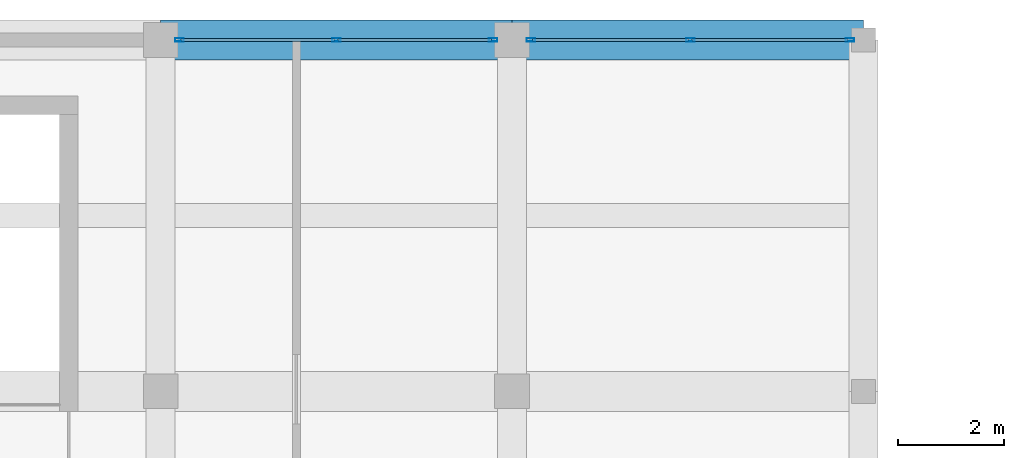
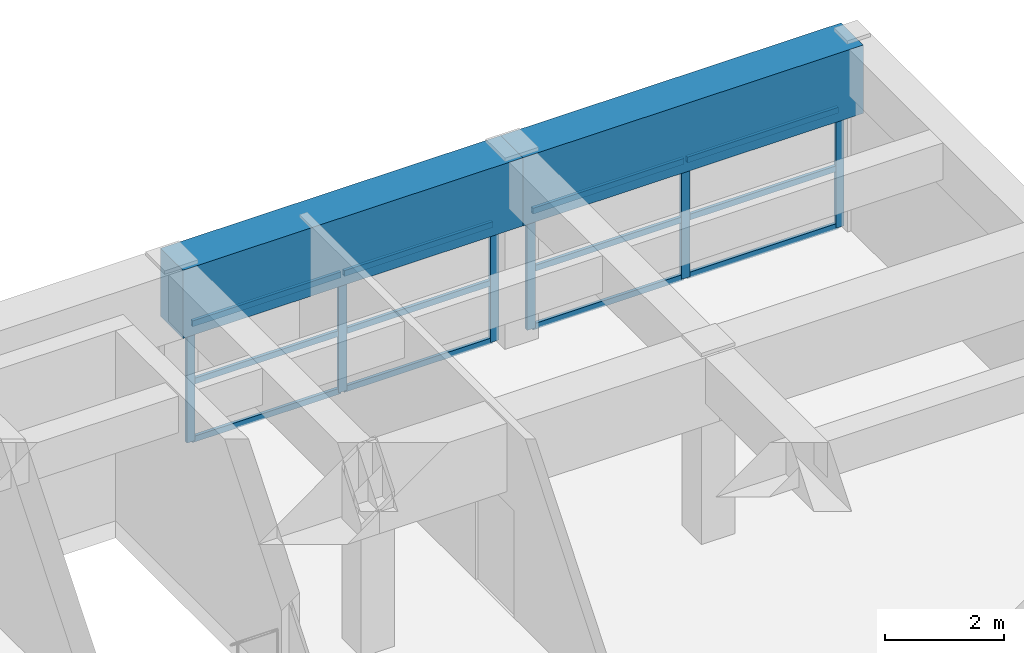
# One storey, part 92 of 134: 18 members, 2 beams, 2 elements without a shape of their own.
"""IFC4 building model written with IfcOpenShell, lengths in metres."""

import ifcopenshell
import ifcopenshell.guid

model = None  # the IFC model being written
_history = None  # IfcOwnerHistory: only IFC2X3 demands one
_inside = {}  # id of a spatial element -> (the spatial element, [elements in it])
_under = {}  # id of a project, library or spatial element -> (it, [spatial elements below it])
_declared = {}  # id of a project -> (the project, [libraries it declares])
_typed = {}  # id of a type object -> (the type object, [elements of that type])
_made_of = {}  # id of a material, layer set ... -> (it, [elements and type objects made of it])


def new_model(schema):
    """Start an empty IFC model of exactly this schema.

    Asked for "IFC4X3", IfcOpenShell would pick the latest addendum, in which some entities
    have other attributes; the version numbers below select the first issue.
    IFC2X3 requires an IfcOwnerHistory on every rooted entity: one is made here for all.
    """
    global model, _history
    if schema == "IFC4X3":
        model = ifcopenshell.file(schema_version=(4, 3, 0, 0))
    else:
        model = ifcopenshell.file(schema=schema)
    _inside.clear()
    _under.clear()
    _declared.clear()
    _typed.clear()
    _made_of.clear()
    _history = None
    if model.schema == "IFC2X3":
        org = make("IfcOrganization", Name="unknown")
        user = make(
            "IfcPersonAndOrganization",
            ThePerson=make("IfcPerson", FamilyName="unknown"),
            TheOrganization=org,
        )
        app = make(
            "IfcApplication",
            ApplicationDeveloper=org,
            Version="unknown",
            ApplicationFullName="unknown",
            ApplicationIdentifier="unknown",
        )
        _history = make(
            "IfcOwnerHistory",
            OwningUser=user,
            OwningApplication=app,
            ChangeAction="ADDED",
            CreationDate=0,
        )
    return model


def make(cls, **values):
    """One entity of the class cls with the attributes given. An attribute that is None is left unset."""
    return model.create_entity(
        cls, **{name: value for name, value in values.items() if value is not None}
    )


def rooted(cls, **values):
    """An entity with a GlobalId (a new one), such as an element, a storey or a relation."""
    return make(cls, GlobalId=ifcopenshell.guid.new(), OwnerHistory=_history, **values)


def si_unit(unit_type, name, prefix=None):
    """IfcSIUnit, for example si_unit("LENGTHUNIT", "METRE", prefix="MILLI")."""
    return make("IfcSIUnit", UnitType=unit_type, Prefix=prefix, Name=name)


def assignment(units):
    """IfcUnitAssignment: the units of a project."""
    return None if units is None else make("IfcUnitAssignment", Units=units)


def point(xyz):
    """IfcCartesianPoint."""
    return None if xyz is None else make("IfcCartesianPoint", Coordinates=xyz)


def direction(xyz):
    """IfcDirection."""
    return None if xyz is None else make("IfcDirection", DirectionRatios=xyz)


def frame(location, z_axis=None, x_axis=None):
    """IfcAxis2Placement3D, a coordinate frame: its origin and axes. An axis left out is left unset."""
    return make(
        "IfcAxis2Placement3D",
        Location=point(location),
        Axis=direction(z_axis),
        RefDirection=direction(x_axis),
    )


def frame_2d(location, x_axis=None):
    """IfcAxis2Placement2D, a coordinate frame in the plane: its origin and x axis."""
    return make(
        "IfcAxis2Placement2D", Location=point(location), RefDirection=direction(x_axis)
    )


def origin():
    """The frame at (0, 0, 0) with its axes left unset."""
    return frame((0.0, 0.0, 0.0))


def origin_2d():
    """The frame at (0, 0) in the plane with its x axis left unset."""
    return frame_2d((0.0, 0.0))


def place(relative_to, where):
    """IfcLocalPlacement: puts the frame where relative to a parent placement (None: the world)."""
    return make(
        "IfcLocalPlacement", PlacementRelTo=relative_to, RelativePlacement=where
    )


def context(
    kind, dimensions, precision=None, world=None, true_north=None, identifier=None
):
    """IfcGeometricRepresentationContext, for example the 3D "Model" context."""
    return make(
        "IfcGeometricRepresentationContext",
        ContextIdentifier=identifier,
        ContextType=kind,
        CoordinateSpaceDimension=dimensions,
        Precision=precision,
        WorldCoordinateSystem=world,
        TrueNorth=true_north,
    )


def subcontext(parent, identifier, kind, view, scale=None):
    """IfcGeometricRepresentationSubContext, for example "Body" below "Model"."""
    return make(
        "IfcGeometricRepresentationSubContext",
        ContextIdentifier=identifier,
        ContextType=kind,
        ParentContext=parent,
        TargetScale=scale,
        TargetView=view,
    )


def project(units=None, contexts=None):
    """IfcProject with its units and contexts."""
    return rooted(
        "IfcProject",
        Name="project",
        RepresentationContexts=contexts,
        UnitsInContext=assignment(units),
    )


def spatial(cls, under=None, at=None, **own):
    """A site, building, storey or space (cls), placed at a placement, below another one or the project."""
    s = rooted(cls, ObjectPlacement=at, **own)
    if under is not None:
        _under.setdefault(under.id(), (under, []))[1].append(s)
    return s


def profile(cls, at=None, kind="AREA", **sizes):
    """A parametric profile (cls). Its sizes go by their IFC names, for example OverallWidth=200.0."""
    return make(cls, ProfileType=kind, Position=at, **sizes)


def rectangle(**sizes):
    """IfcRectangleProfileDef."""
    return profile("IfcRectangleProfileDef", **sizes)


def hollow_rectangle(**sizes):
    """IfcRectangleHollowProfileDef."""
    return profile("IfcRectangleHollowProfileDef", **sizes)


def extrude(swept, where, along, depth):
    """IfcExtrudedAreaSolid: the profile swept, set in the frame where, extruded along a direction by depth."""
    return make(
        "IfcExtrudedAreaSolid",
        SweptArea=swept,
        Position=where,
        ExtrudedDirection=direction(along),
        Depth=depth,
    )


def shape(context_of_items, identifier, shape_type, items):
    """IfcShapeRepresentation: the items that make up one representation, for example the "Body"."""
    return make(
        "IfcShapeRepresentation",
        ContextOfItems=context_of_items,
        RepresentationIdentifier=identifier,
        RepresentationType=shape_type,
        Items=items,
    )


def material(Name=None, Category=None):
    """IfcMaterial."""
    return make("IfcMaterial", Name=Name, Category=Category)


def material_profile(
    of_material, cross_section, Name=None, Category=None, Priority=None
):
    """IfcMaterialProfile: a cross section and its material."""
    return make(
        "IfcMaterialProfile",
        Name=Name,
        Material=of_material,
        Profile=cross_section,
        Priority=Priority,
        Category=Category,
    )


def profile_set(profiles, Name=None, composite=None):
    """IfcMaterialProfileSet."""
    return make(
        "IfcMaterialProfileSet",
        Name=Name,
        MaterialProfiles=profiles,
        CompositeProfile=composite,
    )


def made_of(thing, what):
    """Note that an element or type object is made of a material, layer set ...; save() writes the relation."""
    if what is not None:
        _made_of.setdefault(what.id(), (what, []))[1].append(thing)
    return thing


def type_object(cls, material=None, **own):
    """A type object (cls), such as IfcWallType, which elements share."""
    return made_of(rooted(cls, **own), material)


def element(
    cls,
    number,
    at=None,
    inside=None,
    cuts=None,
    type_object=None,
    material=None,
    context=None,
    identifier="Body",
    shape_type=None,
    held_by="IfcProductDefinitionShape",
    body=None,
    shapes=None,
    **own,
):
    """One element of the class cls, such as IfcWall. Its Tag is "e" and its number.

    at: its placement. inside: the storey or other place that contains it. cuts: it is an
    opening in that element (IfcRelVoidsElement). A single representation is given by context,
    identifier, shape_type and body (its items); several are given by shapes. held_by: the class
    of the entity that holds the representations. save() writes the other relations.
    """
    e = rooted(cls, Tag="e%d" % number, ObjectPlacement=at, **own)
    if body is not None:
        shapes = [shape(context, identifier, shape_type, body)]
    if shapes is not None:
        e.Representation = make(held_by, Representations=shapes)
    if inside is not None:
        _inside.setdefault(inside.id(), (inside, []))[1].append(e)
    if cuts is not None:
        rooted(
            "IfcRelVoidsElement", RelatingBuildingElement=cuts, RelatedOpeningElement=e
        )
    if type_object is not None:
        _typed.setdefault(type_object.id(), (type_object, []))[1].append(e)
    return made_of(e, material)


def aggregate(whole, parts):
    """IfcRelAggregates: a whole, such as a stair, and the parts it consists of."""
    return rooted("IfcRelAggregates", RelatingObject=whole, RelatedObjects=parts)


def save(model, path):
    """Write the relations noted so far, then the file.

    IfcRelAggregates (storeys below a building ...), IfcRelContainedInSpatialStructure (elements
    in a storey), IfcRelDefinesByType, IfcRelAssociatesMaterial and IfcRelDeclares: one each for
    every whole, place, type object, material and project.
    """
    for whole, parts in _under.values():
        aggregate(whole, parts)
    for where, things in _inside.values():
        rooted(
            "IfcRelContainedInSpatialStructure",
            RelatedElements=things,
            RelatingStructure=where,
        )
    for kind, things in _typed.values():
        rooted("IfcRelDefinesByType", RelatedObjects=things, RelatingType=kind)
    for what, things in _made_of.values():
        rooted("IfcRelAssociatesMaterial", RelatedObjects=things, RelatingMaterial=what)
    for by, libraries in _declared.values():
        rooted("IfcRelDeclares", RelatingContext=by, RelatedDefinitions=libraries)
    model.write(path)


model = new_model("IFC4")

# Units and contexts
model_context = context("Model", 3, precision=1e-05, world=origin(), true_north=direction((0.0, 1.0)))
body_context = subcontext(model_context, "Body", "Model", "MODEL_VIEW")
ifc_project = project(units=[si_unit("LENGTHUNIT", "METRE"), si_unit("AREAUNIT", "SQUARE_METRE"), si_unit("VOLUMEUNIT", "CUBIC_METRE"), si_unit("PLANEANGLEUNIT", "RADIAN"), si_unit("MASSUNIT", "GRAM", prefix="KILO")], contexts=[model_context])

# Site, building, storey
site_placement = place(None, origin())
site = spatial("IfcSite", under=ifc_project, at=site_placement, CompositionType="ELEMENT")
building_placement = place(site_placement, origin())
building = spatial("IfcBuilding", under=site, at=building_placement, Name="Karori Crest Natural Sciences Institute", CompositionType="ELEMENT")
storey_placement = place(building_placement, frame((0.0, 0.0, 21.699951171875)))
storey = spatial("IfcBuildingStorey", under=building, at=storey_placement, Name="L05", CompositionType="ELEMENT", Elevation=21.699951171875)

# Beams
ifc_material_1 = material(Name="Concrete 50 MPa", Category="concrete")
ifc_material_profile_1 = material_profile(ifc_material_1, rectangle(XDim=0.75, YDim=1.39990234375, at=origin_2d()), Name="RCB750x1400")
ifc_profile_set_1 = profile_set([ifc_material_profile_1], Name="Concrete 50 MPa")
beam_type = type_object("IfcBeamType", Name="BT-17", PredefinedType="BEAM", material=ifc_profile_set_1)
beam_1_placement = place(storey_placement, frame((14.0, 147.800048828125, 3.150146484375), z_axis=(1.0, 0.0, 0.0), x_axis=(0.0, 1.0, 0.0)))
element("IfcBeam", 1, at=beam_1_placement, inside=storey, type_object=beam_type, Name="Beam B-1846", PredefinedType="BEAM", context=body_context, shape_type="SweptSolid", body=[
    extrude(rectangle(XDim=0.75, YDim=1.39990234375, at=origin_2d()), origin(), (0.0, 0.0, 1.0), 6.60009765625),
])
beam_2_placement = place(storey_placement, frame((20.60009765625, 147.800048828125, 3.150146484375), z_axis=(1.0, 0.0, 0.0), x_axis=(0.0, 1.0, 0.0)))
element("IfcBeam", 2, at=beam_2_placement, inside=storey, type_object=beam_type, Name="Beam B-1847", PredefinedType="BEAM", context=body_context, shape_type="SweptSolid", body=[
    extrude(rectangle(XDim=0.75, YDim=1.39990234375, at=origin_2d()), origin(), (0.0, 0.0, 1.0), 6.599853515625),
])

# Curtain wall, members
ifc_material_2 = material(Name="Anodised architectural aluminium 6063-T6", Category="aluminium")
curtain_wall_type = type_object("IfcCurtainWallType", Name="CWT-19", PredefinedType="NOTDEFINED", material=ifc_material_2)
curtain_wall_1_placement = place(storey_placement, origin())
curtain_wall_1 = element("IfcCurtainWall", 3, at=curtain_wall_1_placement, inside=storey, type_object=curtain_wall_type, Name="Curtain wall CW-0294", PredefinedType="NOTDEFINED")
ifc_material_profile_2 = material_profile(ifc_material_2, hollow_rectangle(XDim=0.06494140625, YDim=0.159912109375, WallThickness=0.00390625, at=origin_2d()), Name="CWM160x65x4")
ifc_profile_set_2 = profile_set([ifc_material_profile_2], Name="Anodised architectural aluminium 6063-T6")
member_type_1 = type_object("IfcMemberType", Name="CWM-01", PredefinedType="MULLION", material=ifc_profile_set_2)
member_1_placement = place(storey_placement, frame((14.35546875, 147.800048828125, 0.0), z_axis=(0.0, 0.0, 1.0), x_axis=(0.0, 1.0, 0.0)))
member_1 = element("IfcMember", 4, at=member_1_placement, type_object=member_type_1, Name="CW-0294 mullion 1", PredefinedType="MULLION", context=body_context, shape_type="SweptSolid", body=[
    extrude(hollow_rectangle(XDim=0.06494140625, YDim=0.159912109375, WallThickness=0.00390625, at=origin_2d()), origin(), (0.0, 0.0, 1.0), 2.43505859375),
])
member_2_placement = place(storey_placement, frame((17.300048828125, 147.800048828125, 0.0), z_axis=(0.0, 0.0, 1.0), x_axis=(0.0, 1.0, 0.0)))
member_2 = element("IfcMember", 5, at=member_2_placement, type_object=member_type_1, Name="CW-0294 mullion 2", PredefinedType="MULLION", context=body_context, shape_type="SweptSolid", body=[
    extrude(hollow_rectangle(XDim=0.06494140625, YDim=0.159912109375, WallThickness=0.00390625, at=origin_2d()), origin(), (0.0, 0.0, 1.0), 2.43505859375),
])
member_3_placement = place(storey_placement, frame((20.244384765625, 147.800048828125, 0.0), z_axis=(0.0, 0.0, 1.0), x_axis=(0.0, 1.0, 0.0)))
member_3 = element("IfcMember", 6, at=member_3_placement, type_object=member_type_1, Name="CW-0294 mullion 3", PredefinedType="MULLION", context=body_context, shape_type="SweptSolid", body=[
    extrude(hollow_rectangle(XDim=0.06494140625, YDim=0.159912109375, WallThickness=0.00390625, at=origin_2d()), origin(), (0.0, 0.0, 1.0), 2.43505859375),
])

curtain_wall_2_placement = place(storey_placement, origin())
curtain_wall_2 = element("IfcCurtainWall", 7, at=curtain_wall_2_placement, inside=storey, type_object=curtain_wall_type, Name="Curtain wall CW-0295", PredefinedType="NOTDEFINED")
member_4_placement = place(storey_placement, frame((20.95556640625, 147.800048828125, 0.0), z_axis=(0.0, 0.0, 1.0), x_axis=(0.0, 1.0, 0.0)))
member_4 = element("IfcMember", 8, at=member_4_placement, type_object=member_type_1, Name="CW-0295 mullion 1", PredefinedType="MULLION", context=body_context, shape_type="SweptSolid", body=[
    extrude(hollow_rectangle(XDim=0.06494140625, YDim=0.159912109375, WallThickness=0.00390625, at=origin_2d()), origin(), (0.0, 0.0, 1.0), 2.43505859375),
])
member_5_placement = place(storey_placement, frame((23.949951171875, 147.800048828125, 0.0), z_axis=(0.0, 0.0, 1.0), x_axis=(0.0, 1.0, 0.0)))
member_5 = element("IfcMember", 9, at=member_5_placement, type_object=member_type_1, Name="CW-0295 mullion 2", PredefinedType="MULLION", context=body_context, shape_type="SweptSolid", body=[
    extrude(hollow_rectangle(XDim=0.06494140625, YDim=0.159912109375, WallThickness=0.00390625, at=origin_2d()), origin(), (0.0, 0.0, 1.0), 2.43505859375),
])
member_6_placement = place(storey_placement, frame((26.944580078125, 147.800048828125, 0.0), z_axis=(0.0, 0.0, 1.0), x_axis=(0.0, 1.0, 0.0)))
member_6 = element("IfcMember", 10, at=member_6_placement, type_object=member_type_1, Name="CW-0295 mullion 3", PredefinedType="MULLION", context=body_context, shape_type="SweptSolid", body=[
    extrude(hollow_rectangle(XDim=0.06494140625, YDim=0.159912109375, WallThickness=0.00390625, at=origin_2d()), origin(), (0.0, 0.0, 1.0), 2.43505859375),
])

# Member
ifc_material_profile_3 = material_profile(ifc_material_2, hollow_rectangle(XDim=0.06005859375, YDim=0.1201171875, WallThickness=0.00390625, at=origin_2d()), Name="CWT120x60x4")
ifc_profile_set_3 = profile_set([ifc_material_profile_3], Name="Anodised architectural aluminium 6063-T6")
member_type_2 = type_object("IfcMemberType", Name="CWT-TR1", PredefinedType="USERDEFINED", material=ifc_profile_set_3)
member_7_placement = place(storey_placement, frame((14.387939453125, 147.800048828125, 0.030029296875), z_axis=(1.0, 0.0, 0.0), x_axis=(0.0, 1.0, 0.0)))
member_7 = element("IfcMember", 11, at=member_7_placement, type_object=member_type_2, Name="CW-0294 transom 1.1", ObjectType="TRANSOM", PredefinedType="USERDEFINED", context=body_context, shape_type="SweptSolid", body=[
    extrude(hollow_rectangle(XDim=0.06005859375, YDim=0.1201171875, WallThickness=0.00390625, at=origin_2d()), origin(), (0.0, 0.0, 1.0), 2.879638671875),
])

member_8_placement = place(storey_placement, frame((14.387939453125, 147.800048828125, 1.217529296875), z_axis=(1.0, 0.0, 0.0), x_axis=(0.0, 1.0, 0.0)))
member_8 = element("IfcMember", 12, at=member_8_placement, type_object=member_type_2, Name="CW-0294 transom 1.2", ObjectType="TRANSOM", PredefinedType="USERDEFINED", context=body_context, shape_type="SweptSolid", body=[
    extrude(hollow_rectangle(XDim=0.06005859375, YDim=0.1201171875, WallThickness=0.00390625, at=origin_2d()), origin(), (0.0, 0.0, 1.0), 2.879638671875),
])

member_9_placement = place(storey_placement, frame((14.387939453125, 147.800048828125, 2.405029296875), z_axis=(1.0, 0.0, 0.0), x_axis=(0.0, 1.0, 0.0)))
member_9 = element("IfcMember", 13, at=member_9_placement, type_object=member_type_2, Name="CW-0294 transom 1.3", ObjectType="TRANSOM", PredefinedType="USERDEFINED", context=body_context, shape_type="SweptSolid", body=[
    extrude(hollow_rectangle(XDim=0.06005859375, YDim=0.1201171875, WallThickness=0.00390625, at=origin_2d()), origin(), (0.0, 0.0, 1.0), 2.879638671875),
])

member_10_placement = place(storey_placement, frame((17.33251953125, 147.800048828125, 0.030029296875), z_axis=(1.0, 0.0, 0.0), x_axis=(0.0, 1.0, 0.0)))
member_10 = element("IfcMember", 14, at=member_10_placement, type_object=member_type_2, Name="CW-0294 transom 2.1", ObjectType="TRANSOM", PredefinedType="USERDEFINED", context=body_context, shape_type="SweptSolid", body=[
    extrude(hollow_rectangle(XDim=0.06005859375, YDim=0.1201171875, WallThickness=0.00390625, at=origin_2d()), origin(), (0.0, 0.0, 1.0), 2.87939453125),
])

member_11_placement = place(storey_placement, frame((17.33251953125, 147.800048828125, 1.217529296875), z_axis=(1.0, 0.0, 0.0), x_axis=(0.0, 1.0, 0.0)))
member_11 = element("IfcMember", 15, at=member_11_placement, type_object=member_type_2, Name="CW-0294 transom 2.2", ObjectType="TRANSOM", PredefinedType="USERDEFINED", context=body_context, shape_type="SweptSolid", body=[
    extrude(hollow_rectangle(XDim=0.06005859375, YDim=0.1201171875, WallThickness=0.00390625, at=origin_2d()), origin(), (0.0, 0.0, 1.0), 2.87939453125),
])

member_12_placement = place(storey_placement, frame((17.33251953125, 147.800048828125, 2.405029296875), z_axis=(1.0, 0.0, 0.0), x_axis=(0.0, 1.0, 0.0)))
member_12 = element("IfcMember", 16, at=member_12_placement, type_object=member_type_2, Name="CW-0294 transom 2.3", ObjectType="TRANSOM", PredefinedType="USERDEFINED", context=body_context, shape_type="SweptSolid", body=[
    extrude(hollow_rectangle(XDim=0.06005859375, YDim=0.1201171875, WallThickness=0.00390625, at=origin_2d()), origin(), (0.0, 0.0, 1.0), 2.87939453125),
])

aggregate(curtain_wall_1, [member_1, member_2, member_3, member_7, member_8, member_9, member_10, member_11, member_12])

member_13_placement = place(storey_placement, frame((20.988037109375, 147.800048828125, 0.030029296875), z_axis=(1.0, 0.0, 0.0), x_axis=(0.0, 1.0, 0.0)))
member_13 = element("IfcMember", 17, at=member_13_placement, type_object=member_type_2, Name="CW-0295 transom 1.1", ObjectType="TRANSOM", PredefinedType="USERDEFINED", context=body_context, shape_type="SweptSolid", body=[
    extrude(hollow_rectangle(XDim=0.06005859375, YDim=0.1201171875, WallThickness=0.00390625, at=origin_2d()), origin(), (0.0, 0.0, 1.0), 2.929443359375),
])

member_14_placement = place(storey_placement, frame((20.988037109375, 147.800048828125, 1.217529296875), z_axis=(1.0, 0.0, 0.0), x_axis=(0.0, 1.0, 0.0)))
member_14 = element("IfcMember", 18, at=member_14_placement, type_object=member_type_2, Name="CW-0295 transom 1.2", ObjectType="TRANSOM", PredefinedType="USERDEFINED", context=body_context, shape_type="SweptSolid", body=[
    extrude(hollow_rectangle(XDim=0.06005859375, YDim=0.1201171875, WallThickness=0.00390625, at=origin_2d()), origin(), (0.0, 0.0, 1.0), 2.929443359375),
])

member_15_placement = place(storey_placement, frame((20.988037109375, 147.800048828125, 2.405029296875), z_axis=(1.0, 0.0, 0.0), x_axis=(0.0, 1.0, 0.0)))
member_15 = element("IfcMember", 19, at=member_15_placement, type_object=member_type_2, Name="CW-0295 transom 1.3", ObjectType="TRANSOM", PredefinedType="USERDEFINED", context=body_context, shape_type="SweptSolid", body=[
    extrude(hollow_rectangle(XDim=0.06005859375, YDim=0.1201171875, WallThickness=0.00390625, at=origin_2d()), origin(), (0.0, 0.0, 1.0), 2.929443359375),
])

member_16_placement = place(storey_placement, frame((23.982421875, 147.800048828125, 0.030029296875), z_axis=(1.0, 0.0, 0.0), x_axis=(0.0, 1.0, 0.0)))
member_16 = element("IfcMember", 20, at=member_16_placement, type_object=member_type_2, Name="CW-0295 transom 2.1", ObjectType="TRANSOM", PredefinedType="USERDEFINED", context=body_context, shape_type="SweptSolid", body=[
    extrude(hollow_rectangle(XDim=0.06005859375, YDim=0.1201171875, WallThickness=0.00390625, at=origin_2d()), origin(), (0.0, 0.0, 1.0), 2.9296875),
])

member_17_placement = place(storey_placement, frame((23.982421875, 147.800048828125, 1.217529296875), z_axis=(1.0, 0.0, 0.0), x_axis=(0.0, 1.0, 0.0)))
member_17 = element("IfcMember", 21, at=member_17_placement, type_object=member_type_2, Name="CW-0295 transom 2.2", ObjectType="TRANSOM", PredefinedType="USERDEFINED", context=body_context, shape_type="SweptSolid", body=[
    extrude(hollow_rectangle(XDim=0.06005859375, YDim=0.1201171875, WallThickness=0.00390625, at=origin_2d()), origin(), (0.0, 0.0, 1.0), 2.9296875),
])

member_18_placement = place(storey_placement, frame((23.982421875, 147.800048828125, 2.405029296875), z_axis=(1.0, 0.0, 0.0), x_axis=(0.0, 1.0, 0.0)))
member_18 = element("IfcMember", 22, at=member_18_placement, type_object=member_type_2, Name="CW-0295 transom 2.3", ObjectType="TRANSOM", PredefinedType="USERDEFINED", context=body_context, shape_type="SweptSolid", body=[
    extrude(hollow_rectangle(XDim=0.06005859375, YDim=0.1201171875, WallThickness=0.00390625, at=origin_2d()), origin(), (0.0, 0.0, 1.0), 2.9296875),
])

aggregate(curtain_wall_2, [member_4, member_5, member_6, member_13, member_14, member_15, member_16, member_17, member_18])

save(model, "model.ifc")
